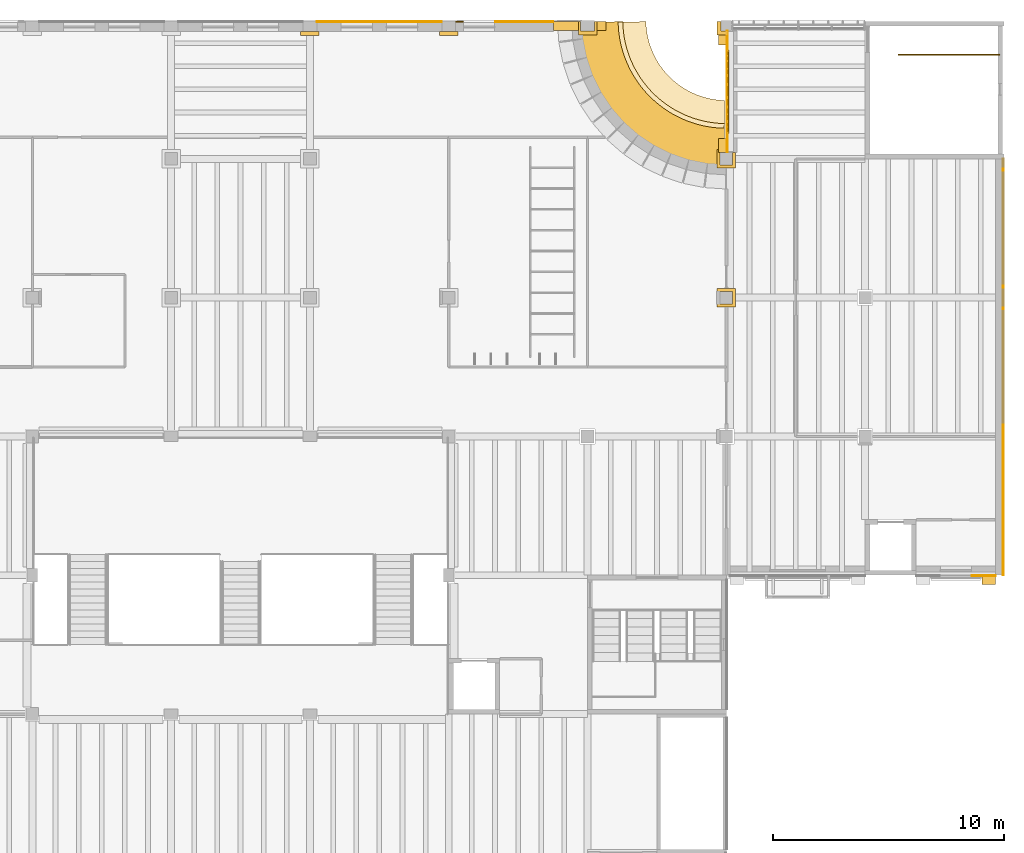
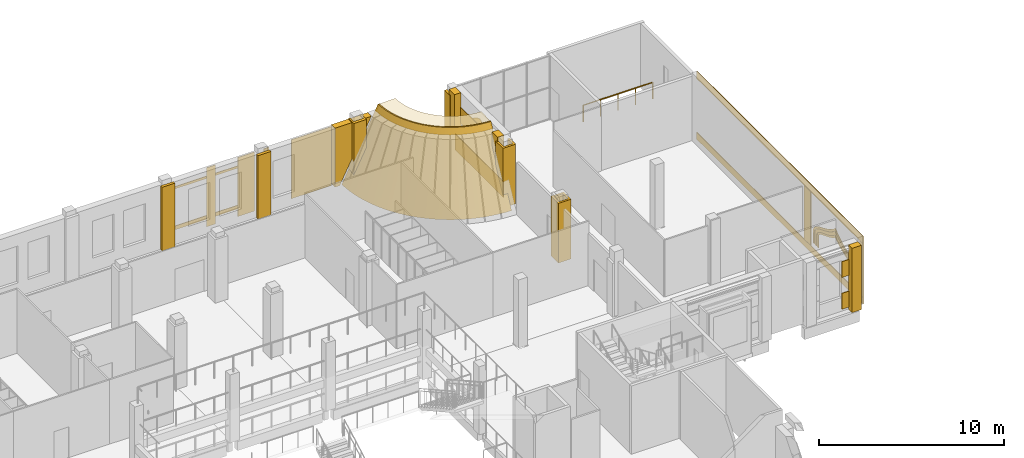
# One storey, part 69 of 70: 30 coverings, 1 railing.
"""IFC4 building model written with IfcOpenShell, lengths in metres."""

from ifc_helpers import new_model, entity, si_unit, direction, frame, origin, origin_2d, place, context, subcontext, project, spatial, polyline, rectangle, circle, outline, extrude, material, layer, layer_set, type_object, element, save


model = new_model("IFC4")

# Units and contexts
model_context = context("Model", 3, precision=1e-05, world=origin(), true_north=direction((0.0, 1.0)))
body_context = subcontext(model_context, "Body", "Model", "MODEL_VIEW")
ifc_project = project(units=[si_unit("LENGTHUNIT", "METRE"), si_unit("AREAUNIT", "SQUARE_METRE"), si_unit("VOLUMEUNIT", "CUBIC_METRE"), si_unit("PLANEANGLEUNIT", "RADIAN"), si_unit("MASSUNIT", "GRAM", prefix="KILO")], contexts=[model_context])

# Site, building, storey
site_placement = place(None, origin())
site = spatial("IfcSite", under=ifc_project, at=site_placement, CompositionType="ELEMENT")
building_placement = place(site_placement, origin())
building = spatial("IfcBuilding", under=site, at=building_placement, Name="Saffron Lane Theatres", CompositionType="ELEMENT")
storey_placement = place(building_placement, frame((0.0, 0.0, 12.0)))
storey = spatial("IfcBuildingStorey", under=building, at=storey_placement, Name="L02", CompositionType="ELEMENT", Elevation=12.0)

# Coverings
ifc_material_1 = material(Name="Masonry pale clay brick", Category="masonry")
ifc_layer_1 = layer(ifc_material_1, 0.050048828125)
ifc_layer_set_1 = layer_set([ifc_layer_1], Name="Masonry pale clay brick")
covering_type_1 = type_object("IfcCoveringType", Name="EX-ARCH PANEL BRICK 50", PredefinedType="CLADDING", material=ifc_layer_set_1)
covering_1_placement = place(storey_placement, frame((54.10009765625, 121.10009765625, 1.199951171875), z_axis=(1.0, 0.0, 0.0), x_axis=(0.0, 0.0, -1.0)))
element("IfcCovering", 1, at=covering_1_placement, inside=storey, type_object=covering_type_1, Name="Blind arch panel 15", PredefinedType="CLADDING", context=body_context, shape_type="SweptSolid", body=[
    extrude(outline(polyline([(0.0, 0.0), (0.89990234375, 0.0), (0.89990234375, 3.599853515625), (0.0, 3.599853515625), (-0.33203125, 3.578857421875), (-0.658935546875, 3.517822265625), (-0.97607421875, 3.41796875), (-1.278076171875, 3.27880859375), (-1.56103515625, 3.10400390625), (-1.820068359375, 2.89599609375), (-2.052001953125, 2.657958984375), (-2.2529296875, 2.392822265625), (-2.420166015625, 2.10595703125), (-2.550048828125, 1.7998046875), (-2.420166015625, 1.493896484375), (-2.2529296875, 1.205810546875), (-2.052001953125, 0.94091796875), (-1.820068359375, 0.702880859375), (-1.56103515625, 0.494873046875), (-1.278076171875, 0.31982421875), (-0.97607421875, 0.181884765625), (-0.658935546875, 0.080810546875), (-0.33203125, 0.02001953125), (0.0, 0.0)])), origin(), (0.0, 0.0, -1.0), 0.050048828125),
])
ifc_material_2 = material(Name="Masonry pale clay brick", Category="masonry")
ifc_layer_2 = layer(ifc_material_2, 0.39990234375)
ifc_layer_set_2 = layer_set([ifc_layer_2], Name="Masonry pale clay brick")
covering_type_2 = type_object("IfcCoveringType", Name="EX-END INFILL CLADDING BRICK 400", PredefinedType="CLADDING", material=ifc_layer_set_2)
covering_2_placement = place(storey_placement, frame((46.525634765625, 125.93994140625, 0.25), z_axis=(0.0, 1.0, 0.0), x_axis=(0.0, 0.0, 1.0)))
element("IfcCovering", 2, at=covering_2_placement, inside=storey, type_object=covering_type_2, Name="Wall end infill L02 16", PredefinedType="CLADDING", context=body_context, shape_type="SweptSolid", body=[
    extrude(outline(polyline([(0.0, 0.0), (3.89990234375, 0.0), (3.89990234375, 2.280029296875), (0.0, 0.295166015625), (0.0, 0.0)])), origin(), (0.0, 0.0, -1.0), 0.39990234375),
])
ifc_material_3 = material(Name="Face brick cladding, pale buff", Category="masonry")
ifc_layer_3 = layer(ifc_material_3, 0.0400390625)
ifc_layer_set_3 = layer_set([ifc_layer_3], Name="Face brick cladding, pale buff")
covering_type_3 = type_object("IfcCoveringType", Name="EX-FACE BRICK CLADDING PALE BUFF 40", PredefinedType="CLADDING", material=ifc_layer_set_3)
covering_3_placement = place(storey_placement, frame((39.0, 125.919921875, 0.150146484375), z_axis=(0.0, 0.0, 1.0), x_axis=(1.0, 0.0, 0.0)))
element("IfcCovering", 3, at=covering_3_placement, inside=storey, type_object=covering_type_3, Name="Cladding course L02", PredefinedType="CLADDING", context=body_context, shape_type="SweptSolid", body=[
    extrude(rectangle(XDim=0.56005859375, YDim=0.0400390625, at=origin_2d()), origin(), (0.0, 0.0, 1.0), 3.89990234375),
])
covering_4_placement = place(storey_placement, frame((41.18505859375, 125.919921875, 0.150146484375), z_axis=(0.0, 0.0, 1.0), x_axis=(1.0, 0.0, 0.0)))
element("IfcCovering", 4, at=covering_4_placement, inside=storey, type_object=covering_type_3, Name="Cladding course L02", PredefinedType="CLADDING", context=body_context, shape_type="SweptSolid", body=[
    extrude(rectangle(XDim=1.030029296875, YDim=0.0400390625, at=origin_2d()), origin(), (0.0, 0.0, 1.0), 3.89990234375),
])
covering_5_placement = place(storey_placement, frame((42.458984375, 125.919921875, 0.150146484375), z_axis=(0.0, 0.0, 1.0), x_axis=(1.0, 0.0, 0.0)))
element("IfcCovering", 5, at=covering_5_placement, inside=storey, type_object=covering_type_3, Name="Cladding course L02", PredefinedType="CLADDING", context=body_context, shape_type="SweptSolid", body=[
    extrude(rectangle(XDim=0.318115234375, YDim=0.0400390625, at=origin_2d()), origin(), (0.0, 0.0, 1.0), 3.89990234375),
])
covering_6_placement = place(storey_placement, frame((45.26708984375, 125.919921875, 0.150146484375), z_axis=(0.0, 0.0, 1.0), x_axis=(1.0, 0.0, 0.0)))
element("IfcCovering", 6, at=covering_6_placement, inside=storey, type_object=covering_type_3, Name="Cladding course L02", PredefinedType="CLADDING", context=body_context, shape_type="SweptSolid", body=[
    extrude(rectangle(XDim=2.51806640625, YDim=0.0400390625, at=origin_2d()), origin(), (0.0, 0.0, 1.0), 3.89990234375),
])
for number, where, z_axis, x_axis, name in (
    (7, (54.030029296875, 122.89990234375, 0.14990234375), (0.0, 0.0, 1.0), (0.0, 1.0, 0.0), "Cladding course L02"),
    (8, (54.030029296875, 122.89990234375, 2.25), (0.0, 0.0, 1.0), (0.0, 1.0, 0.0), "Cladding course L02"),
):
    element("IfcCovering", number, at=place(storey_placement, frame(where, z_axis=z_axis, x_axis=x_axis)), inside=storey, type_object=covering_type_3, Name=name, PredefinedType="CLADDING", context=body_context, shape_type="SweptSolid", body=[
        extrude(rectangle(XDim=5.25, YDim=0.0400390625, at=origin_2d()), origin(), (0.0, 0.0, 1.0), 1.050048828125),
    ])
for number, where, z_axis, x_axis, name in (
    (9, (65.126953125, 101.97998046875, 0.14990234375), (0.0, 0.0, 1.0), (-1.0, 0.0, 0.0), "Cladding course L02"),
    (10, (65.126953125, 101.97998046875, 2.25), (0.0, 0.0, 1.0), (-1.0, 0.0, 0.0), "Cladding course L02"),
):
    element("IfcCovering", number, at=place(storey_placement, frame(where, z_axis=z_axis, x_axis=x_axis)), inside=storey, type_object=covering_type_3, Name=name, PredefinedType="CLADDING", context=body_context, shape_type="SweptSolid", body=[
        extrude(rectangle(XDim=1.02490234375, YDim=0.0400390625, at=origin_2d()), origin(), (0.0, 0.0, 1.0), 1.050048828125),
    ])
ifc_material_4 = material(Name="Face brick cladding, pale buff", Category="masonry")
ifc_layer_4 = layer(ifc_material_4, 0.0400390625)
ifc_layer_set_4 = layer_set([ifc_layer_4], Name="Face brick cladding, pale buff")
covering_type_4 = type_object("IfcCoveringType", Name="EX-FACE BRICK SKIN PALE BUFF 40", PredefinedType="CLADDING", material=ifc_layer_set_4)
covering_7_placement = place(storey_placement, frame((65.9599609375, 111.0, 0.0), z_axis=(0.0, 0.0, 1.0), x_axis=(0.0, 1.0, 0.0)))
element("IfcCovering", 11, at=covering_7_placement, inside=storey, type_object=covering_type_4, Name="Face brick cladding, pale buff L02", PredefinedType="CLADDING", context=body_context, shape_type="SweptSolid", body=[
    extrude(rectangle(XDim=18.0, YDim=0.0400390625, at=origin_2d()), origin(), (0.0, 0.0, 1.0), 0.449951171875),
])
covering_8_placement = place(storey_placement, frame((65.9599609375, 111.0, 4.0), z_axis=(0.0, 0.0, 1.0), x_axis=(0.0, 1.0, 0.0)))
element("IfcCovering", 12, at=covering_8_placement, inside=storey, type_object=covering_type_4, Name="Face brick cladding, pale buff L02", PredefinedType="CLADDING", context=body_context, shape_type="SweptSolid", body=[
    extrude(rectangle(XDim=18.0, YDim=0.0400390625, at=origin_2d()), origin(), (0.0, 0.0, 1.0), 0.5),
])
covering_9_placement = place(storey_placement, frame((65.9599609375, 102.175048828125, 0.4501953125), z_axis=(0.0, 0.0, 1.0), x_axis=(0.0, 1.0, 0.0)))
element("IfcCovering", 13, at=covering_9_placement, inside=storey, type_object=covering_type_4, Name="Face brick cladding, pale buff L02", PredefinedType="CLADDING", context=body_context, shape_type="SweptSolid", body=[
    extrude(rectangle(XDim=0.35009765625, YDim=0.0400390625, at=origin_2d()), origin(), (0.0, 0.0, 1.0), 3.550048828125),
])
covering_10_placement = place(storey_placement, frame((65.9599609375, 108.0, 0.4501953125), z_axis=(0.0, 0.0, 1.0), x_axis=(0.0, 1.0, 0.0)))
element("IfcCovering", 14, at=covering_10_placement, inside=storey, type_object=covering_type_4, Name="Face brick cladding, pale buff L02", PredefinedType="CLADDING", context=body_context, shape_type="SweptSolid", body=[
    extrude(rectangle(XDim=0.699951171875, YDim=0.0400390625, at=origin_2d()), origin(), (0.0, 0.0, 1.0), 3.550048828125),
])
ifc_material_5 = material(Name="Masonry sandstone", Category="masonry")
ifc_layer_5 = layer(ifc_material_5, 0.0400390625)
ifc_layer_set_5 = layer_set([ifc_layer_5], Name="Masonry sandstone")
covering_type_5 = type_object("IfcCoveringType", Name="EX-HEAD COURSE SANDSTONE 150", PredefinedType="CLADDING", material=ifc_layer_set_5)
covering_11_placement = place(storey_placement, frame((39.0, 125.919921875, 3.35009765625), z_axis=(0.0, 0.0, 1.0), x_axis=(1.0, 0.0, 0.0)))
element("IfcCovering", 15, at=covering_11_placement, inside=storey, type_object=covering_type_5, Name="Facade head course L02", PredefinedType="CLADDING", context=body_context, shape_type="SweptSolid", body=[
    extrude(rectangle(XDim=5.39990234375, YDim=0.0400390625, at=origin_2d()), origin(), (0.0, 0.0, 1.0), 0.14990234375),
])
ifc_material_6 = material(Name="Face brick cladding, pale buff", Category="masonry")
ifc_layer_6 = layer(ifc_material_6, 0.0400390625)
ifc_layer_set_6 = layer_set([ifc_layer_6], Name="Face brick cladding, pale buff")
covering_type_6 = type_object("IfcCoveringType", Name="EX-NICHE FRAME RING FACE BRICK PALE BUFF", PredefinedType="CLADDING", material=ifc_layer_set_6)
covering_12_placement = place(storey_placement, frame((65.93994140625, 103.06005859375, 1.529052734375), z_axis=(-1.0, 0.0, 0.0), x_axis=(0.0, 0.125787163421, 0.992057251129)))
element("IfcCovering", 16, at=covering_12_placement, inside=storey, type_object=covering_type_6, Name="Court wall niche ring", PredefinedType="CLADDING", context=body_context, shape_type="SweptSolid", body=[
    extrude(outline(polyline([(0.0, 0.0), (0.10286783462729944, -1.734723475976807e-18), (0.2003058366133861, 0.02898943089024811), (0.28852048186243034, 0.08228128848391583), (0.36629033325911087, 0.1541241568385554), (0.4390324759984652, 0.24260070416356044), (0.507500747692938, 0.345892681090867), (0.5744445407107455, 0.46045224157820186), (0.6416479180870274, 0.5848227001853759), (0.7120787170630909, 0.7191199427867082), (0.7862758069545193, 0.8598303096728491), (0.8662040327603895, 1.0049820026922627), (0.9537702965426195, 1.154087142314066), (1.0502093622920772, 1.3032977380814992), (1.1557020119727, 1.4520986772832154), (1.2741507024021774, 1.5982724837141218), (1.4373464054824177, 1.7732259676027586), (1.3229792155464521, 1.9833728326633073), (1.244760306386786, 2.1544829615301575), (1.1797431160295304, 2.3249035694448104), (1.123595251063273, 2.4934613119297864), (1.0760130904972982, 2.6597024957871276), (1.0348405776399026, 2.8202090671537974), (0.9981093909157794, 2.974984502606025), (0.9634247487321284, 3.122609779612776), (0.9293879085859198, 3.259816916518256), (0.8931538722626247, 3.387458833357453), (0.8526314791601582, 3.50457020079729), (0.8042728832362467, 3.6084016264695515), (0.7468943102847225, 3.6973805390597287), (0.6747715775436027, 3.7710022555851634), (0.5876520538068722, 3.8233925210766304), (0.4880394533891911, 3.8490658776732425), (-0.2351741579078327, 3.9407652111630567), (-0.2502526484448383, 3.8218442857957298), (0.46496831410040995, 3.7311583742768346), (0.5400026794337924, 3.7115545403476755), (0.6001700459508014, 3.6756247044444676), (0.6527671677279272, 3.6226897753437015), (0.698940156062184, 3.5501434797319464), (0.7410530827896775, 3.4591626386629097), (0.77859431177529, 3.351534791747961), (0.8135356411705575, 3.229224783986177), (0.846849353461016, 3.0940780979260873), (0.8816568346714453, 2.9474216268286426), (0.9185073838461169, 2.7916466757104144), (0.960037984055158, 2.6281415573457427), (1.0091585296027163, 2.4585060762296007), (1.0668720127310223, 2.284827916387843), (1.1349966828081395, 2.107860915432915), (1.2162002326608894, 1.9292355876164828), (1.2905723102225393, 1.7918360801596331), (1.1842620856985966, 1.6773460511968898), (1.0610475886877535, 1.5246397580306266), (0.9510348104793215, 1.3712439439121653), (0.8516788972732567, 1.2164969004991457), (0.7617757948353858, 1.0644888197256537), (0.6807524475172019, 0.9165228382484054), (0.6061903171216689, 0.7748743752096529), (0.5358823571723834, 0.6415459385176266), (0.4698934637589638, 0.5189902527022867), (0.40553218745035335, 0.4092712451852531), (0.3423176018681286, 0.31441865705522143), (0.2788306844812543, 0.23682726990499206), (0.21601300801857182, 0.17810036480576727), (0.15186901772430933, 0.13996753843175677), (0.08463840716756255, 0.12019103454986238), (0.007085841785230041, 0.11993434733824601), (-0.7081351207600182, 0.21062025885714114), (-0.7232136112970238, 0.09169933348981403), (0.0, 0.0)])), origin(), (0.0, 0.0, -1.0), 0.0400390625),
])
covering_13_placement = place(storey_placement, frame((65.93994140625, 102.800048828125, 1.531005859375), z_axis=(-1.0, 0.0, 0.0), x_axis=(0.0, 0.124981281942, 0.992159099724)))
element("IfcCovering", 17, at=covering_13_placement, inside=storey, type_object=covering_type_6, Name="Court wall niche ring", PredefinedType="CLADDING", context=body_context, shape_type="SweptSolid", body=[
    extrude(outline(polyline([(0.0, 0.0), (0.12697213837489085, 0.0), (0.24997852453431715, 0.03298080651064107), (0.3595056719254136, 0.09374300291988652), (0.45676095681453616, 0.17819737668643526), (0.5452500891383669, 0.27901235606536234), (0.6263959139448547, 0.39576263666424205), (0.7061301600449148, 0.5247481641551519), (0.7862990991553347, 0.664998155443681), (0.8685354119348959, 0.8138462430364772), (0.9556542754712098, 0.9701995918059837), (1.0495611097740505, 1.131603547593268), (1.1510112291562355, 1.2962404739662412), (1.2636056380264804, 1.461442125707965), (1.3880691376893162, 1.6251486400436455), (1.5262174868532434, 1.786147007536166), (1.7363042432154532, 1.9986165951301107), (1.5855958009789675, 2.2575194704419133), (1.491569261797464, 2.446780394502173), (1.4115937282164914, 2.6362398878317443), (1.3434872854281097, 2.824204243755272), (1.286036923995202, 3.0088577035642547), (1.2350924053598944, 3.1885084383069255), (1.1894712330933568, 3.3615829156174892), (1.146718753036656, 3.526175715486171), (1.1038367100524615, 3.681926314984293), (1.0585821633162598, 3.826656554751089), (1.0089257630615434, 3.959883859824733), (0.9482034682785188, 4.079494852308206), (0.874931407902664, 4.18543038390852), (0.7838951435332473, 4.2714573511790705), (0.6729108826387414, 4.333913723694567), (0.5499054353411086, 4.365403148246339), (-0.1753202347204572, 4.45675909505642), (-0.20031038850718275, 4.25837572038026), (0.5130461907617923, 4.1685149109762225), (0.5988745887630316, 4.14663004257128), (0.6639156477958518, 4.110138831814989), (0.7223673053314565, 4.054546008440391), (0.7761044683713332, 3.977154691945845), (0.8252797019569147, 3.8791760140448814), (0.8698930060882013, 3.7606099747375006), (0.9121586863050064, 3.625360830791697), (0.953743691721572, 3.474941088556692), (0.9964961717782725, 3.3103482886880107), (1.0422375183543697, 3.1362743929983368), (1.0946011265904527, 2.9522617063633723), (1.1541038399038068, 2.7604597528591834), (1.2250789749020257, 2.5640137194937744), (1.3086480019973663, 2.3640126859475283), (1.4091728730821225, 2.16187574182122), (1.4863266575429295, 2.0301060196818823), (1.378903968861815, 1.9215872098569335), (1.2313890650156947, 1.750695586216104), (1.1008300051589897, 1.577668051995212), (0.9833530455319921, 1.404961139076778), (0.8782638978384575, 1.2348769365783012), (0.7817784796199506, 1.0686303316604855), (0.6942953377077843, 0.9113385905284419), (0.6120590249282231, 0.7624905029356456), (0.5344686697334693, 0.6270831607776483), (0.4599812527660143, 0.5065412868259859), (0.38735700702762876, 0.4027435435293195), (0.3154190692602435, 0.32002136977165624), (0.24416743946385833, 0.2583747655529961), (0.17375468267990626, 0.2190148625868687), (0.10169563174116798, 0.19979401452079415), (0.0131210629941348, 0.1998785120822032), (-0.7002355162748403, 0.28973932148624076), (-0.7252256700615658, 0.09135594681008097), (0.0, 0.0)])), origin(), (0.0, 0.0, -1.0), 0.0400390625),
])
covering_14_placement = place(storey_placement, frame((65.93994140625, 102.60009765625, 1.529052734375), z_axis=(-1.0, 0.0, 0.0), x_axis=(0.0, 0.1142904069, 0.993447383051)))
element("IfcCovering", 18, at=covering_14_placement, inside=storey, type_object=covering_type_6, Name="Court wall niche ring", PredefinedType="CLADDING", context=body_context, shape_type="SweptSolid", body=[
    extrude(outline(polyline([(0.0, 0.0), (0.1388492792656847, 0.0), (0.2696088548128292, 0.03435280127758979), (0.38778420831120713, 0.09816895170466255), (0.4935728066597587, 0.1867564660520517), (0.5907072035243214, 0.2962454223763962), (0.682649508774358, 0.42255126080070415), (0.7725527536549033, 0.5653112432171398), (0.8628530787126653, 0.7200673397441939), (0.9554908108676652, 0.8865963269308906), (1.0550849584516353, 1.060189048513373), (1.1614487864623173, 1.2413584891530183), (1.2782032368400602, 1.4252645634464545), (1.4071770247793973, 1.6107138844826956), (1.5503297946143773, 1.7955149989593715), (1.7109648241435755, 1.9763388725258713), (1.9322951685448566, 2.193432264117283), (1.7660452106718798, 2.4551145400411314), (1.6506687358280459, 2.6676919495089537), (1.5532209675803823, 2.8801727719066417), (1.4697289577773855, 3.090065060824744), (1.3978982269085434, 3.2966497791855978), (1.3353420011518824, 3.496269496600136), (1.2777696682141262, 3.6879433177116665), (1.2253679630975327, 3.871158257858812), (1.1725691778037226, 4.042377083895339), (1.1174329854126743, 4.201823019272223), (1.0565745457110323, 4.345707704460884), (0.9868408274537619, 4.474393877569155), (0.9039326328302404, 4.584689872523951), (0.803336126096215, 4.673674467048558), (0.6837935289606095, 4.736823093502039), (0.5485716307732833, 4.768353405952386), (-0.17565539212467307, 4.851671559029142), (-0.19164377180082215, 4.712695643382615), (0.5245794025520463, 4.630298287041135), (0.6344268042255539, 4.604636175696251), (0.7236754034085255, 4.557997499097641), (0.800384854508793, 4.489946542240035), (0.8682683937781672, 4.398581613031465), (0.9308332050521732, 4.284482233892733), (0.9867721433150001, 4.151239297453483), (1.0388368668757932, 3.9992734940636265), (1.0910282268174285, 3.831319310997622), (1.14354154365951, 3.649074534310487), (1.2006202093499159, 3.4552457483453045), (1.2650523706465087, 3.252706955033389), (1.3383490786020484, 3.0417758185165145), (1.424324449297152, 2.8256998107305122), (1.5258138498350813, 2.605627244620307), (1.6453628861086955, 2.384460025048585), (1.7535425510378928, 2.2139967245384384), (1.609479716364319, 2.0725524726551585), (1.442830531934789, 1.8843107121023825), (1.2940177597899682, 1.6930339711680689), (1.1612212702526687, 1.5021264074796), (1.0420521431215808, 1.314320361932094), (0.9331985150807832, 1.1307340981597673), (0.8335957819794677, 0.9549306058608891), (0.7410696615499556, 0.789371782134203), (0.6521022380600401, 0.6376571051266956), (0.5668888320293253, 0.5014843608933854), (0.4821540685906067, 0.384425124649887), (0.39531370702297125, 0.28751395123630025), (0.3085956890775053, 0.21516379656807177), (0.21829751039907963, 0.16509735216938012), (0.12078964352999957, 0.13994393272720115), (0.007984531131061172, 0.1398967123818024), (-0.7082386432218073, 0.22229406872328286), (-0.7242270228979564, 0.08331815307675605), (0.0, 0.0)])), origin(), (0.0, 0.0, -1.0), 0.0400390625),
])
ifc_material_7 = material(Name="Face brick cladding, pale buff", Category="masonry")
ifc_layer_7 = layer(ifc_material_7, 0.10009765625)
ifc_layer_set_7 = layer_set([ifc_layer_7], Name="Face brick cladding, pale buff")
covering_type_7 = type_object("IfcCoveringType", Name="EX-PIER CASING FACE BRICK PALE BUFF 800", PredefinedType="CLADDING", material=ifc_layer_set_7)
covering_15_placement = place(storey_placement, origin())
element("IfcCovering", 19, at=covering_15_placement, inside=storey, type_object=covering_type_7, Name="Pier casing L02 48", PredefinedType="CLADDING", context=body_context, shape_type="SweptSolid", body=[
    extrude(outline(polyline([(54.39990234375, 114.39990234375), (53.60009765625, 114.39990234375), (53.60009765625, 113.60009765625), (54.39990234375, 113.60009765625), (54.39990234375, 114.39990234375)]), holes=[polyline([(53.72509765625, 114.27490234375), (54.27490234375, 114.27490234375), (54.27490234375, 113.72509765625), (53.72509765625, 113.72509765625), (53.72509765625, 114.27490234375)])]), origin(), (0.0, 0.0, 1.0), 3.949951171875),
])
covering_16_placement = place(storey_placement, origin())
element("IfcCovering", 20, at=covering_16_placement, inside=storey, type_object=covering_type_7, Name="Pier casing L02 52", PredefinedType="CLADDING", context=body_context, shape_type="SweptSolid", body=[
    extrude(outline(polyline([(54.0458984375, 120.39990234375), (53.60009765625, 120.39990234375), (53.60009765625, 119.60009765625), (54.39990234375, 119.60009765625), (54.39990234375, 120.27099609375), (54.27490234375, 120.27099609375), (54.27490234375, 119.72509765625), (53.72509765625, 119.72509765625), (53.72509765625, 120.27490234375), (54.0458984375, 120.27490234375), (54.0458984375, 120.39990234375)])), origin(), (0.0, 0.0, 1.0), 3.949951171875),
])
covering_17_placement = place(storey_placement, origin())
element("IfcCovering", 21, at=covering_17_placement, inside=storey, type_object=covering_type_7, Name="Pier casing L02 57", PredefinedType="CLADDING", context=body_context, shape_type="SweptSolid", body=[
    extrude(outline(polyline([(35.60009765625, 125.495849609375), (35.60009765625, 125.324462890625), (36.39990234375, 125.324462890625), (36.39990234375, 125.495849609375), (36.300048828125, 125.495849609375), (36.299560546875, 125.495849609375), (36.29931640625, 125.49609375), (36.298828125, 125.49609375), (36.298583984375, 125.496337890625), (36.298095703125, 125.496337890625), (36.2978515625, 125.49658203125), (36.297607421875, 125.496826171875), (36.297119140625, 125.4970703125), (36.296875, 125.497314453125), (36.296630859375, 125.497802734375), (36.296630859375, 125.498046875), (36.29638671875, 125.49853515625), (36.296142578125, 125.498779296875), (36.296142578125, 125.499267578125), (36.296142578125, 125.49951171875), (35.703857421875, 125.49951171875), (35.703857421875, 125.499267578125), (35.703857421875, 125.498779296875), (35.70361328125, 125.49853515625), (35.703369140625, 125.498046875), (35.703369140625, 125.497802734375), (35.703125, 125.497314453125), (35.702880859375, 125.4970703125), (35.702392578125, 125.496826171875), (35.7021484375, 125.49658203125), (35.701904296875, 125.496337890625), (35.701416015625, 125.496337890625), (35.701171875, 125.49609375), (35.70068359375, 125.49609375), (35.700439453125, 125.495849609375), (35.699951171875, 125.495849609375), (35.60009765625, 125.495849609375)])), origin(), (0.0, 0.0, 1.0), 4.199951171875),
])
covering_18_placement = place(storey_placement, origin())
element("IfcCovering", 22, at=covering_18_placement, inside=storey, type_object=covering_type_7, Name="Pier casing L02 58", PredefinedType="CLADDING", context=body_context, shape_type="SweptSolid", body=[
    extrude(outline(polyline([(41.60009765625, 125.495849609375), (41.60009765625, 125.324462890625), (42.39990234375, 125.324462890625), (42.39990234375, 125.495849609375), (42.300048828125, 125.495849609375), (42.299560546875, 125.495849609375), (42.29931640625, 125.49609375), (42.298828125, 125.49609375), (42.298583984375, 125.496337890625), (42.298095703125, 125.496337890625), (42.2978515625, 125.49658203125), (42.297607421875, 125.496826171875), (42.297119140625, 125.4970703125), (42.296875, 125.497314453125), (42.296630859375, 125.497802734375), (42.296630859375, 125.498046875), (42.29638671875, 125.49853515625), (42.296142578125, 125.498779296875), (42.296142578125, 125.499267578125), (42.296142578125, 125.49951171875), (41.703857421875, 125.49951171875), (41.703857421875, 125.499267578125), (41.703857421875, 125.498779296875), (41.70361328125, 125.49853515625), (41.703369140625, 125.498046875), (41.703369140625, 125.497802734375), (41.703125, 125.497314453125), (41.702880859375, 125.4970703125), (41.702392578125, 125.496826171875), (41.7021484375, 125.49658203125), (41.701904296875, 125.496337890625), (41.701416015625, 125.496337890625), (41.701171875, 125.49609375), (41.70068359375, 125.49609375), (41.700439453125, 125.495849609375), (41.699951171875, 125.495849609375), (41.60009765625, 125.495849609375)])), origin(), (0.0, 0.0, 1.0), 4.199951171875),
])
covering_19_placement = place(storey_placement, origin())
element("IfcCovering", 23, at=covering_19_placement, inside=storey, type_object=covering_type_7, Name="Pier casing L02 59", PredefinedType="CLADDING", context=body_context, shape_type="SweptSolid", body=[
    extrude(outline(polyline([(47.60009765625, 125.93994140625), (47.60009765625, 125.349609375), (48.39990234375, 125.349609375), (48.39990234375, 125.93994140625), (48.300048828125, 125.93994140625), (48.300048828125, 125.5244140625), (47.699951171875, 125.5244140625), (47.699951171875, 125.93994140625), (47.60009765625, 125.93994140625)])), origin(), (0.0, 0.0, 1.0), 4.199951171875),
])
covering_20_placement = place(storey_placement, origin())
element("IfcCovering", 24, at=covering_20_placement, inside=storey, type_object=covering_type_7, Name="Pier casing L02 60", PredefinedType="CLADDING", context=body_context, shape_type="SweptSolid", body=[
    extrude(outline(polyline([(53.60009765625, 125.93994140625), (53.60009765625, 125.349609375), (54.0458984375, 125.349609375), (54.0458984375, 125.5244140625), (54.0458984375, 125.5244140625), (53.77490234375, 125.5244140625), (53.77490234375, 125.93994140625), (53.60009765625, 125.93994140625)])), origin(), (0.0, 0.0, 1.0), 3.949951171875),
])
ifc_material_8 = material(Name="Masonry sandstone", Category="masonry")
ifc_layer_8 = layer(ifc_material_8, 0.39990234375)
ifc_layer_set_8 = layer_set([ifc_layer_8], Name="Masonry sandstone")
covering_type_8 = type_object("IfcCoveringType", Name="EX-PILASTER PIER SANDSTONE 400", PredefinedType="CLADDING", material=ifc_layer_set_8)
for number, where, z_axis, x_axis, name in (
    (25, (53.85009765625, 120.574951171875, 0.0), (0.0, 0.0, 1.0), (0.0, 1.0, 0.0), "Pilaster pier L02"),
    (26, (53.85009765625, 125.22509765625, 0.0), (0.0, 0.0, 1.0), (0.0, 1.0, 0.0), "Pilaster pier L02"),
    (27, (65.340087890625, 101.800048828125, 0.0), (0.0, 0.0, 1.0), (-1.0, 0.0, 0.0), "Pilaster pier L02"),
):
    element("IfcCovering", number, at=place(storey_placement, frame(where, z_axis=z_axis, x_axis=x_axis)), inside=storey, type_object=covering_type_8, Name=name, PredefinedType="CLADDING", context=body_context, shape_type="SweptSolid", body=[
        extrude(rectangle(XDim=0.60009765625, YDim=0.39990234375, at=origin_2d()), origin(), (0.0, 0.0, 1.0), 4.25),
    ])
ifc_material_9 = material(Name="Face brick cladding, pale buff", Category="masonry")
ifc_layer_9 = layer(ifc_material_9, 0.080078125)
ifc_layer_set_9 = layer_set([ifc_layer_9], Name="Face brick cladding, pale buff")
covering_type_9 = type_object("IfcCoveringType", Name="EX-SCOOP SKIN FACE BRICK PALE BUFF 80", PredefinedType="CLADDING", material=ifc_layer_set_9)
covering_21_placement = place(storey_placement, frame((54.0, 125.99951171875, -12.0), z_axis=(0.0, 0.0, 1.0), x_axis=(-0.999878, -0.015636, 0.0)))
cartesian_point_1 = entity("IfcCartesianPoint", [6.76220703125, 12.0])
cartesian_point_2 = entity("IfcCartesianPoint", [0.0, 0.0, 0.0])
element("IfcCovering", 28, at=covering_21_placement, inside=storey, type_object=covering_type_9, Name="Scoop skin NE L02", PredefinedType="CLADDING", context=body_context, shape_type="SweptSolid", body=[
    entity("IfcRevolvedAreaSolid", entity("IfcArbitraryClosedProfileDef", "AREA", None, entity("IfcPolyline", [cartesian_point_1, entity("IfcCartesianPoint", [6.84228515625, 12.0]), entity("IfcCartesianPoint", [4.556884765625, 16.5]), entity("IfcCartesianPoint", [4.476806640625, 16.5]), cartesian_point_1])), entity("IfcAxis2Placement3D", cartesian_point_2, entity("IfcDirection", [0.0, -1.0, 0.0]), entity("IfcDirection", [1.0, 0.0, 0.0])), entity("IfcAxis1Placement", cartesian_point_2, entity("IfcDirection", [0.0, 1.0, 0.0])), 1.539523),
])
ifc_material_10 = material(Name="Masonry sandstone", Category="masonry")
ifc_layer_10 = layer(ifc_material_10, 0.39990234375)
ifc_layer_set_10 = layer_set([ifc_layer_10], Name="Masonry sandstone")
covering_type_10 = type_object("IfcCoveringType", Name="EX-SCOOP STEP SANDSTONE 700", PredefinedType="CLADDING", material=ifc_layer_set_10)
covering_22_placement = place(storey_placement, frame((54.0, 125.99951171875, -12.0), z_axis=(0.0, 0.0, 1.0), x_axis=(-0.999797, -0.020134, 0.0)))
cartesian_point_3 = entity("IfcCartesianPoint", [3.476806640625, 16.10009765625])
cartesian_point_4 = entity("IfcCartesianPoint", [0.0, 0.0, 0.0])
element("IfcCovering", 29, at=covering_22_placement, inside=storey, type_object=covering_type_10, Name="Floor step NE L03", PredefinedType="CLADDING", context=body_context, shape_type="SweptSolid", body=[
    entity("IfcRevolvedAreaSolid", entity("IfcArbitraryClosedProfileDef", "AREA", None, entity("IfcPolyline", [cartesian_point_3, entity("IfcCartesianPoint", [4.679931640625, 16.10009765625]), entity("IfcCartesianPoint", [4.476806640625, 16.5]), entity("IfcCartesianPoint", [3.476806640625, 16.5]), cartesian_point_3])), entity("IfcAxis2Placement3D", cartesian_point_4, entity("IfcDirection", [0.0, -1.0, 0.0]), entity("IfcDirection", [1.0, 0.0, 0.0])), entity("IfcAxis1Placement", cartesian_point_4, entity("IfcDirection", [0.0, 1.0, 0.0])), 1.530526),
])
ifc_material_11 = material(Name="Masonry sandstone", Category="masonry")
ifc_layer_11 = layer(ifc_material_11, 0.0400390625)
ifc_layer_set_11 = layer_set([ifc_layer_11], Name="Masonry sandstone")
covering_type_11 = type_object("IfcCoveringType", Name="EX-SILL COURSE SANDSTONE 250", PredefinedType="CLADDING", material=ifc_layer_set_11)
covering_23_placement = place(storey_placement, frame((39.0, 125.919921875, 0.64990234375), z_axis=(0.0, 0.0, 1.0), x_axis=(1.0, 0.0, 0.0)))
element("IfcCovering", 30, at=covering_23_placement, inside=storey, type_object=covering_type_11, Name="Facade sill course L02", PredefinedType="CLADDING", context=body_context, shape_type="SweptSolid", body=[
    extrude(rectangle(XDim=5.39990234375, YDim=0.0400390625, at=origin_2d()), origin(), (0.0, 0.0, 1.0), 0.25),
])

# Railing
ifc_material_12 = material(Name="Steel Grade 350", Category="steel")
railing_type = type_object("IfcRailingType", Name="VC-GUARD 1100", PredefinedType="GUARDRAIL", material=ifc_material_12)
railing_placement = place(storey_placement, frame((65.800048828125, 124.5, 0.0)))
element("IfcRailing", 31, at=railing_placement, inside=storey, type_object=railing_type, Name="East Wing Street Stair guard L02", PredefinedType="GUARDRAIL", context=body_context, shape_type="SweptSolid", body=[
    extrude(circle(Radius=0.02392578125, at=origin_2d()), frame((0.0, 0.0, 1.076171875), z_axis=(-1.0, 0.0, 0.0), x_axis=(0.0, -1.0, 0.0)), (0.0, 0.0, 1.0), 4.35009765625),
    extrude(circle(Radius=0.02099609375, at=origin_2d()), origin(), (0.0, 0.0, 1.0), 1.052001953125),
    extrude(circle(Radius=0.02099609375, at=origin_2d()), frame((-1.08740234375, 0.0, 0.0)), (0.0, 0.0, 1.0), 1.052001953125),
    extrude(circle(Radius=0.02099609375, at=origin_2d()), frame((-2.175048828125, 0.0, 0.0)), (0.0, 0.0, 1.0), 1.052001953125),
    extrude(circle(Radius=0.02099609375, at=origin_2d()), frame((-3.2626953125, 0.0, 0.0)), (0.0, 0.0, 1.0), 1.052001953125),
    extrude(circle(Radius=0.02099609375, at=origin_2d()), frame((-4.35009765625, 0.0, 0.0)), (0.0, 0.0, 1.0), 1.052001953125),
])

save(model, "model.ifc")
